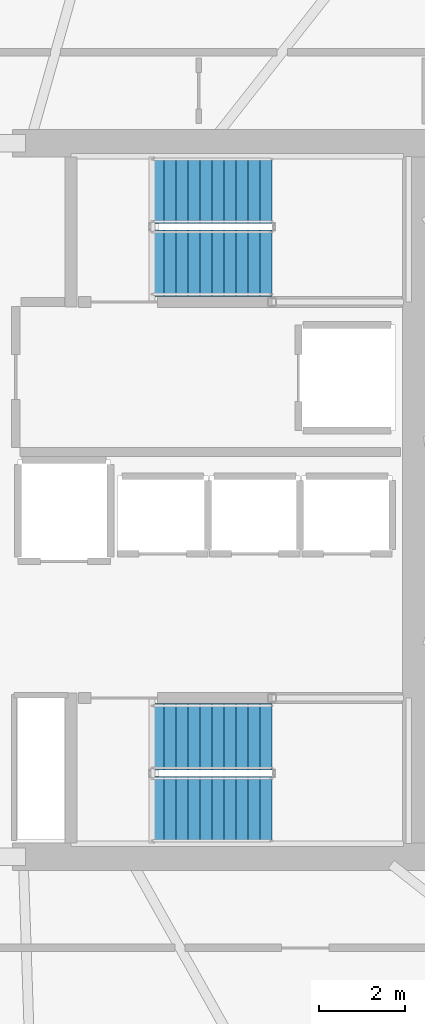
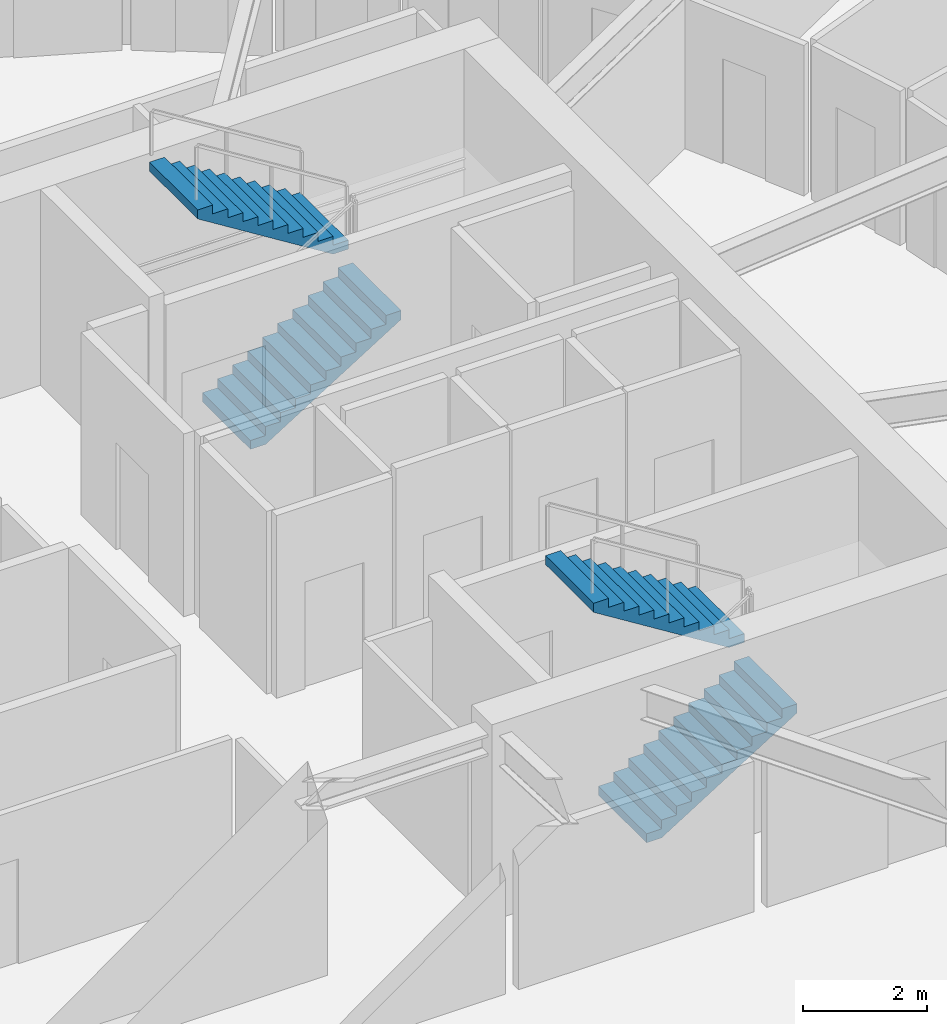
# One storey, part 24 of 31: 4 stair flights, 2 elements without a shape of their own.
"""IFC4 building model written with IfcOpenShell, lengths in metres."""

from ifc_helpers import new_model, si_unit, direction, frame, origin, place, context, subcontext, project, spatial, polyline, outline, extrude, material, type_object, element, aggregate, save


model = new_model("IFC4")

# Units and contexts
model_context = context("Model", 3, precision=1e-05, world=origin(), true_north=direction((0.0, 1.0)))
body_context = subcontext(model_context, "Body", "Model", "MODEL_VIEW")
ifc_project = project(units=[si_unit("LENGTHUNIT", "METRE"), si_unit("AREAUNIT", "SQUARE_METRE"), si_unit("VOLUMEUNIT", "CUBIC_METRE"), si_unit("PLANEANGLEUNIT", "RADIAN"), si_unit("MASSUNIT", "GRAM", prefix="KILO")], contexts=[model_context])

# Site, building, storey
site_placement = place(None, origin())
site = spatial("IfcSite", under=ifc_project, at=site_placement, CompositionType="ELEMENT")
building_placement = place(site_placement, origin())
building = spatial("IfcBuilding", under=site, at=building_placement, Name="Kazma Halo Residences", CompositionType="ELEMENT")
storey_placement = place(building_placement, frame((0.0, 0.0, 248.25)))
storey = spatial("IfcBuildingStorey", under=building, at=storey_placement, Name="L62", CompositionType="ELEMENT", Elevation=248.25)

# Stair, stair flights
ifc_material = material(Name="Concrete C50/60", Category="concrete")
stair_type = type_object("IfcStairType", Name="STR-RES2", PredefinedType="HALF_TURN_STAIR", material=ifc_material)
stair_1_placement = place(storey_placement, origin())
stair_1 = element("IfcStair", 1, at=stair_1_placement, inside=storey, type_object=stair_type, Name="L62 Core exit stair ST-02", PredefinedType="HALF_TURN_STAIR")
stair_flight_type = type_object("IfcStairFlightType", Name="STR-RES2-FLT", PredefinedType="STRAIGHT", material=ifc_material)
stair_flight_1_placement = place(storey_placement, frame((53.199951171875, 47.52490234375, 0.0), z_axis=(0.0, 0.0, 1.0), x_axis=(1.0, 0.0, 0.0)))
stair_flight_1 = element("IfcStairFlight", 2, at=stair_flight_1_placement, type_object=stair_flight_type, Name="ST-02 flight 1", NumberOfRisers=11, NumberOfTreads=10, PredefinedType="STRAIGHT", RiserHeight=0.175, TreadLength=0.28, context=body_context, shape_type="SweptSolid", body=[
    extrude(outline(polyline([(0.0, 0.0), (0.0, 0.175048828125), (0.280029296875, 0.175048828125), (0.280029296875, 0.35009765625), (0.56005859375, 0.35009765625), (0.56005859375, 0.52490234375), (0.840087890625, 0.52490234375), (0.840087890625, 0.699951171875), (1.1201171875, 0.699951171875), (1.1201171875, 0.875), (1.39990234375, 0.875), (1.39990234375, 1.050048828125), (1.679931640625, 1.050048828125), (1.679931640625, 1.22509765625), (1.9599609375, 1.22509765625), (1.9599609375, 1.39990234375), (2.239990234375, 1.39990234375), (2.239990234375, 1.574951171875), (2.52001953125, 1.574951171875), (2.52001953125, 1.75), (2.800048828125, 1.75), (2.800048828125, 1.925048828125), (2.800048828125, 1.5732421875), (0.28271484375, 0.0), (0.0, 0.0)])), frame((0.0, 0.77490234375, 0.0), z_axis=(0.0, -1.0, 0.0), x_axis=(1.0, 0.0, 0.0)), (0.0, 0.0, 1.0), 1.550048828125),
])
stair_flight_2_placement = place(storey_placement, frame((56.0, 49.22509765625, 1.925048828125), z_axis=(0.0, 0.0, 1.0), x_axis=(-1.0, 0.0, 0.0)))
stair_flight_2 = element("IfcStairFlight", 3, at=stair_flight_2_placement, type_object=stair_flight_type, Name="ST-02 flight 2", NumberOfRisers=11, NumberOfTreads=10, PredefinedType="STRAIGHT", RiserHeight=0.175, TreadLength=0.28, context=body_context, shape_type="SweptSolid", body=[
    extrude(outline(polyline([(0.0, 0.0), (0.0, 0.175048828125), (0.280029296875, 0.175048828125), (0.280029296875, 0.35009765625), (0.56005859375, 0.35009765625), (0.56005859375, 0.52490234375), (0.840087890625, 0.52490234375), (0.840087890625, 0.699951171875), (1.1201171875, 0.699951171875), (1.1201171875, 0.875), (1.39990234375, 0.875), (1.39990234375, 1.050048828125), (1.679931640625, 1.050048828125), (1.679931640625, 1.22509765625), (1.9599609375, 1.22509765625), (1.9599609375, 1.39990234375), (2.239990234375, 1.39990234375), (2.239990234375, 1.574951171875), (2.52001953125, 1.574951171875), (2.52001953125, 1.75), (2.800048828125, 1.75), (2.800048828125, 1.925048828125), (2.800048828125, 1.5732421875), (0.28271484375, 0.0), (0.0, 0.0)])), frame((0.0, 0.77490234375, 0.0), z_axis=(0.0, -1.0, 0.0), x_axis=(1.0, 0.0, 0.0)), (0.0, 0.0, 1.0), 1.550048828125),
])
aggregate(stair_1, [stair_flight_1, stair_flight_2])

stair_2_placement = place(storey_placement, origin())
stair_2 = element("IfcStair", 4, at=stair_2_placement, inside=storey, type_object=stair_type, Name="L62 Core exit stair ST-03", PredefinedType="HALF_TURN_STAIR")
stair_flight_3_placement = place(storey_placement, frame((53.199951171875, 34.77490234375, 0.0), z_axis=(0.0, 0.0, 1.0), x_axis=(1.0, 0.0, 0.0)))
stair_flight_3 = element("IfcStairFlight", 5, at=stair_flight_3_placement, type_object=stair_flight_type, Name="ST-03 flight 1", NumberOfRisers=11, NumberOfTreads=10, PredefinedType="STRAIGHT", RiserHeight=0.175, TreadLength=0.28, context=body_context, shape_type="SweptSolid", body=[
    extrude(outline(polyline([(0.0, 0.0), (0.0, 0.175048828125), (0.280029296875, 0.175048828125), (0.280029296875, 0.35009765625), (0.56005859375, 0.35009765625), (0.56005859375, 0.52490234375), (0.840087890625, 0.52490234375), (0.840087890625, 0.699951171875), (1.1201171875, 0.699951171875), (1.1201171875, 0.875), (1.39990234375, 0.875), (1.39990234375, 1.050048828125), (1.679931640625, 1.050048828125), (1.679931640625, 1.22509765625), (1.9599609375, 1.22509765625), (1.9599609375, 1.39990234375), (2.239990234375, 1.39990234375), (2.239990234375, 1.574951171875), (2.52001953125, 1.574951171875), (2.52001953125, 1.75), (2.800048828125, 1.75), (2.800048828125, 1.925048828125), (2.800048828125, 1.5732421875), (0.28271484375, 0.0), (0.0, 0.0)])), frame((0.0, 0.77490234375, 0.0), z_axis=(0.0, -1.0, 0.0), x_axis=(1.0, 0.0, 0.0)), (0.0, 0.0, 1.0), 1.550048828125),
])
stair_flight_4_placement = place(storey_placement, frame((56.0, 36.47509765625, 1.925048828125), z_axis=(0.0, 0.0, 1.0), x_axis=(-1.0, 0.0, 0.0)))
stair_flight_4 = element("IfcStairFlight", 6, at=stair_flight_4_placement, type_object=stair_flight_type, Name="ST-03 flight 2", NumberOfRisers=11, NumberOfTreads=10, PredefinedType="STRAIGHT", RiserHeight=0.175, TreadLength=0.28, context=body_context, shape_type="SweptSolid", body=[
    extrude(outline(polyline([(0.0, 0.0), (0.0, 0.175048828125), (0.280029296875, 0.175048828125), (0.280029296875, 0.35009765625), (0.56005859375, 0.35009765625), (0.56005859375, 0.52490234375), (0.840087890625, 0.52490234375), (0.840087890625, 0.699951171875), (1.1201171875, 0.699951171875), (1.1201171875, 0.875), (1.39990234375, 0.875), (1.39990234375, 1.050048828125), (1.679931640625, 1.050048828125), (1.679931640625, 1.22509765625), (1.9599609375, 1.22509765625), (1.9599609375, 1.39990234375), (2.239990234375, 1.39990234375), (2.239990234375, 1.574951171875), (2.52001953125, 1.574951171875), (2.52001953125, 1.75), (2.800048828125, 1.75), (2.800048828125, 1.925048828125), (2.800048828125, 1.5732421875), (0.28271484375, 0.0), (0.0, 0.0)])), frame((0.0, 0.77490234375, 0.0), z_axis=(0.0, -1.0, 0.0), x_axis=(1.0, 0.0, 0.0)), (0.0, 0.0, 1.0), 1.550048828125),
])
aggregate(stair_2, [stair_flight_3, stair_flight_4])

save(model, "model.ifc")
